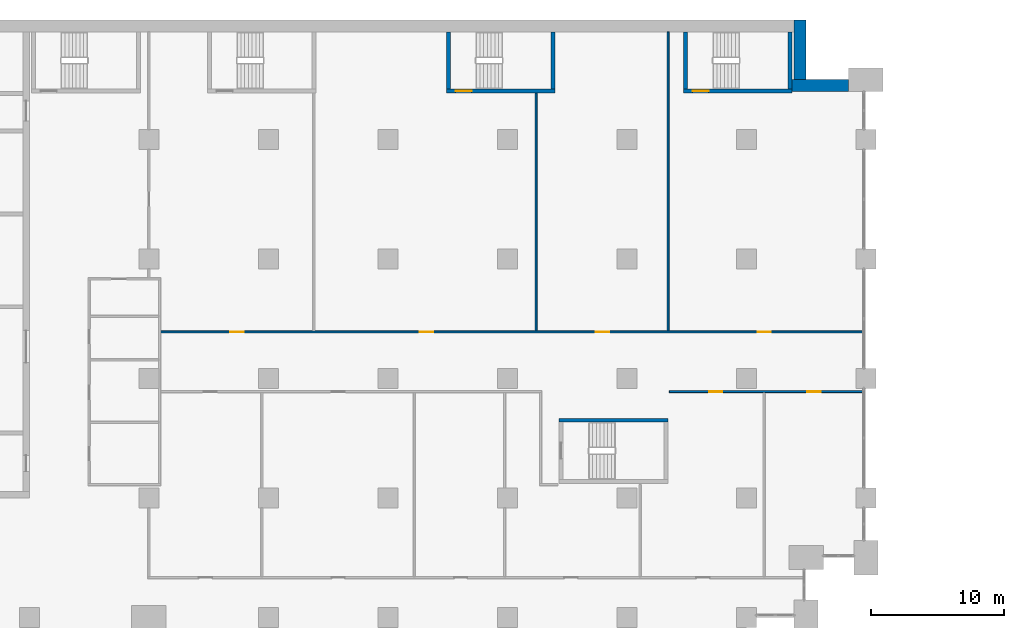
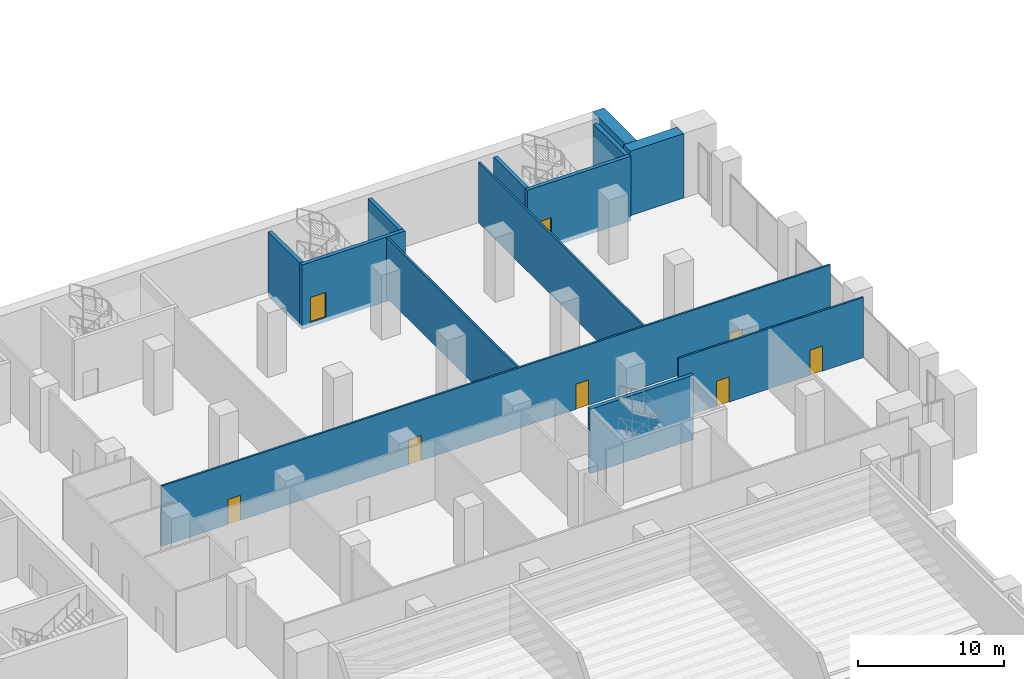
# One storey, part 21 of 44: 13 walls, 8 doors, 8 openings.
"""IFC4 building model written with IfcOpenShell, lengths in metres."""

from ifc_helpers import new_model, si_unit, direction, frame, frame_2d, origin, place, context, subcontext, project, spatial, rectangle, extrude, material, layer, layer_set, type_object, element, fill, save


model = new_model("IFC4")

# Units and contexts
model_context = context("Model", 3, precision=1e-05, world=origin(), true_north=direction((0.0, 1.0)))
body_context = subcontext(model_context, "Body", "Model", "MODEL_VIEW")
ifc_project = project(units=[si_unit("LENGTHUNIT", "METRE"), si_unit("AREAUNIT", "SQUARE_METRE"), si_unit("VOLUMEUNIT", "CUBIC_METRE"), si_unit("PLANEANGLEUNIT", "RADIAN"), si_unit("MASSUNIT", "GRAM", prefix="KILO")], contexts=[model_context])

# Site, building, storey
site_placement = place(None, origin())
site = spatial("IfcSite", under=ifc_project, at=site_placement, CompositionType="ELEMENT")
building_placement = place(site_placement, origin())
building = spatial("IfcBuilding", under=site, at=building_placement, Name="Hunhe Ridgeline Campus", CompositionType="ELEMENT")
storey_placement = place(building_placement, frame((0.0, 0.0, 6.0)))
storey = spatial("IfcBuildingStorey", under=building, at=storey_placement, Name="L01", CompositionType="ELEMENT", Elevation=6.0)

# Wall, openings, doors
ifc_material_1 = material(Name="Plastered blockwork", Category="masonry")
ifc_layer_1 = layer(ifc_material_1, 0.14990234375)
ifc_layer_set_1 = layer_set([ifc_layer_1], Name="Blockwork partition 150")
wall_type_1 = type_object("IfcWallType", Name="Blockwork partition 150", PredefinedType="PARTITIONING", material=ifc_layer_set_1)
wall_1_placement = place(storey_placement, frame((84.199951171875, 71.0, 0.0), z_axis=(0.0, 0.0, 1.0), x_axis=(1.0, 0.0, 0.0)))
wall_1 = element("IfcWall", 1, at=wall_1_placement, inside=storey, type_object=wall_type_1, Name="L01 partition", PredefinedType="PARTITIONING", context=body_context, shape_type="SweptSolid", body=[
    extrude(rectangle(XDim=14.6201171875, YDim=0.14990234375, at=frame_2d((7.31005859375, 0.0))), origin(), (0.0, 0.0, 1.0), 5.050048828125),
])
opening_1_placement = place(wall_1_placement, frame((3.0, 0.0, 0.0)))
opening_1 = element("IfcOpeningElement", 2, at=opening_1_placement, cuts=wall_1, Name="Opening PD234", PredefinedType="OPENING", context=body_context, shape_type="SweptSolid", body=[
    extrude(rectangle(XDim=1.0, YDim=2.10009765625, at=frame_2d((0.5, 1.050048828125))), frame((0.0, 0.074951171875, 0.0), z_axis=(0.0, -1.0, 0.0), x_axis=(1.0, 0.0, 0.0)), (0.0, 0.0, 1.0), 0.14990234375),
])
opening_2_placement = place(wall_1_placement, frame((10.39599609375, 0.0, 0.0)))
opening_2 = element("IfcOpeningElement", 3, at=opening_2_placement, cuts=wall_1, Name="Opening PD235", PredefinedType="OPENING", context=body_context, shape_type="SweptSolid", body=[
    extrude(rectangle(XDim=1.0, YDim=2.10009765625, at=frame_2d((0.5, 1.050048828125))), frame((0.0, 0.074951171875, 0.0), z_axis=(0.0, -1.0, 0.0), x_axis=(1.0, 0.0, 0.0)), (0.0, 0.0, 1.0), 0.14990234375),
])
ifc_material_2 = material(Name="Timber", Category="wood")
door_type_1 = type_object("IfcDoorType", Name="Podium timber door 1000x2100", OperationType="NOTDEFINED", PredefinedType="DOOR", material=ifc_material_2)
door_1_placement = place(opening_1_placement, origin())
door_1 = element("IfcDoor", 4, at=door_1_placement, inside=storey, type_object=door_type_1, Name="Seminar Room 1.13 door", OperationType="SINGLE_SWING_LEFT", OverallHeight=2.10009765625, OverallWidth=1.0, PredefinedType="DOOR", context=body_context, shape_type="SweptSolid", body=[
    extrude(rectangle(XDim=1.0, YDim=2.10009765625, at=frame_2d((0.5, 1.050048828125))), frame((0.0, 0.02490234375, 0.0), z_axis=(0.0, -1.0, 0.0), x_axis=(1.0, 0.0, 0.0)), (0.0, 0.0, 1.0), 0.050048828125),
])
fill(opening_1, door_1)
door_2_placement = place(opening_2_placement, origin())
door_2 = element("IfcDoor", 5, at=door_2_placement, inside=storey, type_object=door_type_1, Name="Teaching Resources Store door", OperationType="SINGLE_SWING_RIGHT", OverallHeight=2.10009765625, OverallWidth=1.0, PredefinedType="DOOR", context=body_context, shape_type="SweptSolid", body=[
    extrude(rectangle(XDim=1.0, YDim=2.10009765625, at=frame_2d((0.5, 1.050048828125))), frame((0.0, 0.02490234375, 0.0), z_axis=(0.0, -1.0, 0.0), x_axis=(1.0, 0.0, 0.0)), (0.0, 0.0, 1.0), 0.050048828125),
])
fill(opening_2, door_2)

wall_2_placement = place(storey_placement, frame((98.820068359375, 75.5, 0.0), z_axis=(0.0, 0.0, 1.0), x_axis=(-1.0, 0.0, 0.0)))
wall_2 = element("IfcWall", 6, at=wall_2_placement, inside=storey, type_object=wall_type_1, Name="L01 partition", PredefinedType="PARTITIONING", context=body_context, shape_type="SweptSolid", body=[
    extrude(rectangle(XDim=52.945068359375, YDim=0.14990234375, at=frame_2d((26.47265625, 0.0))), origin(), (0.0, 0.0, 1.0), 5.050048828125),
])
opening_3_placement = place(wall_2_placement, frame((46.695068359375, 0.0, 0.0)))
opening_3 = element("IfcOpeningElement", 7, at=opening_3_placement, cuts=wall_2, Name="Opening PD236", PredefinedType="OPENING", context=body_context, shape_type="SweptSolid", body=[
    extrude(rectangle(XDim=1.0, YDim=2.10009765625, at=frame_2d((0.5, 1.050048828125))), frame((0.0, 0.074951171875, 0.0), z_axis=(0.0, -1.0, 0.0), x_axis=(1.0, 0.0, 0.0)), (0.0, 0.0, 1.0), 0.14990234375),
])
opening_4_placement = place(wall_2_placement, frame((32.406005859375, 0.0, 0.0)))
opening_4 = element("IfcOpeningElement", 8, at=opening_4_placement, cuts=wall_2, Name="Opening PD238", PredefinedType="OPENING", context=body_context, shape_type="SweptSolid", body=[
    extrude(rectangle(XDim=1.0, YDim=2.10009765625, at=frame_2d((0.5, 1.050048828125))), frame((0.0, 0.074951171875, 0.0), z_axis=(0.0, -1.0, 0.0), x_axis=(1.0, 0.0, 0.0)), (0.0, 0.0, 1.0), 0.14990234375),
])
opening_5_placement = place(wall_2_placement, frame((19.14794921875, 0.0, 0.0)))
opening_5 = element("IfcOpeningElement", 9, at=opening_5_placement, cuts=wall_2, Name="Opening PD239", PredefinedType="OPENING", context=body_context, shape_type="SweptSolid", body=[
    extrude(rectangle(XDim=1.0, YDim=2.10009765625, at=frame_2d((0.5, 1.050048828125))), frame((0.0, 0.074951171875, 0.0), z_axis=(0.0, -1.0, 0.0), x_axis=(1.0, 0.0, 0.0)), (0.0, 0.0, 1.0), 0.14990234375),
])
opening_6_placement = place(wall_2_placement, frame((6.967041015625, 0.0, 0.0)))
opening_6 = element("IfcOpeningElement", 10, at=opening_6_placement, cuts=wall_2, Name="Opening PD240", PredefinedType="OPENING", context=body_context, shape_type="SweptSolid", body=[
    extrude(rectangle(XDim=1.0, YDim=2.10009765625, at=frame_2d((0.5, 1.050048828125))), frame((0.0, 0.074951171875, 0.0), z_axis=(0.0, -1.0, 0.0), x_axis=(1.0, 0.0, 0.0)), (0.0, 0.0, 1.0), 0.14990234375),
])
door_3_placement = place(opening_3_placement, origin())
door_3 = element("IfcDoor", 11, at=door_3_placement, inside=storey, type_object=door_type_1, Name="Department Office 1.14 door", OperationType="SINGLE_SWING_RIGHT", OverallHeight=2.10009765625, OverallWidth=1.0, PredefinedType="DOOR", context=body_context, shape_type="SweptSolid", body=[
    extrude(rectangle(XDim=1.0, YDim=2.10009765625, at=frame_2d((0.5, 1.050048828125))), frame((0.0, 0.02490234375, 0.0), z_axis=(0.0, -1.0, 0.0), x_axis=(1.0, 0.0, 0.0)), (0.0, 0.0, 1.0), 0.050048828125),
])
fill(opening_3, door_3)
door_4_placement = place(opening_4_placement, origin())
door_4 = element("IfcDoor", 12, at=door_4_placement, inside=storey, type_object=door_type_1, Name="Department Office 1.15 door", OperationType="SINGLE_SWING_RIGHT", OverallHeight=2.10009765625, OverallWidth=1.0, PredefinedType="DOOR", context=body_context, shape_type="SweptSolid", body=[
    extrude(rectangle(XDim=1.0, YDim=2.10009765625, at=frame_2d((0.5, 1.050048828125))), frame((0.0, 0.02490234375, 0.0), z_axis=(0.0, -1.0, 0.0), x_axis=(1.0, 0.0, 0.0)), (0.0, 0.0, 1.0), 0.050048828125),
])
fill(opening_4, door_4)
door_5_placement = place(opening_5_placement, origin())
door_5 = element("IfcDoor", 13, at=door_5_placement, inside=storey, type_object=door_type_1, Name="Meeting Room 1.16 door", OperationType="SINGLE_SWING_LEFT", OverallHeight=2.10009765625, OverallWidth=1.0, PredefinedType="DOOR", context=body_context, shape_type="SweptSolid", body=[
    extrude(rectangle(XDim=1.0, YDim=2.10009765625, at=frame_2d((0.5, 1.050048828125))), frame((0.0, 0.02490234375, 0.0), z_axis=(0.0, -1.0, 0.0), x_axis=(1.0, 0.0, 0.0)), (0.0, 0.0, 1.0), 0.050048828125),
])
fill(opening_5, door_5)
door_6_placement = place(opening_6_placement, origin())
door_6 = element("IfcDoor", 14, at=door_6_placement, inside=storey, type_object=door_type_1, Name="Meeting Room 1.17 door", OperationType="SINGLE_SWING_LEFT", OverallHeight=2.10009765625, OverallWidth=1.0, PredefinedType="DOOR", context=body_context, shape_type="SweptSolid", body=[
    extrude(rectangle(XDim=1.0, YDim=2.10009765625, at=frame_2d((0.5, 1.050048828125))), frame((0.0, 0.02490234375, 0.0), z_axis=(0.0, -1.0, 0.0), x_axis=(1.0, 0.0, 0.0)), (0.0, 0.0, 1.0), 0.050048828125),
])
fill(opening_6, door_6)

# Walls
wall_3_placement = place(storey_placement, frame((74.172119140625, 75.574951171875, 0.0), z_axis=(0.0, 0.0, 1.0), x_axis=(0.0, 1.0, 0.0)))
element("IfcWall", 15, at=wall_3_placement, inside=storey, type_object=wall_type_1, Name="L01 partition", PredefinedType="PARTITIONING", context=body_context, shape_type="SweptSolid", body=[
    extrude(rectangle(XDim=17.925048828125, YDim=0.14990234375, at=frame_2d((8.96240234375, 0.0))), origin(), (0.0, 0.0, 1.0), 5.050048828125),
])
wall_4_placement = place(storey_placement, frame((84.10302734375, 75.574951171875, 0.0), z_axis=(0.0, 0.0, 1.0), x_axis=(0.0, 1.0, 0.0)))
element("IfcWall", 16, at=wall_4_placement, inside=storey, type_object=wall_type_1, Name="L01 partition", PredefinedType="PARTITIONING", context=body_context, shape_type="SweptSolid", body=[
    extrude(rectangle(XDim=22.525146484375, YDim=0.14990234375, at=frame_2d((11.2626953125, 0.0))), origin(), (0.0, 0.0, 1.0), 5.050048828125),
])
ifc_material_3 = material(Name="Concrete C80", Category="concrete")
ifc_layer_2 = layer(ifc_material_3, 0.89990234375)
ifc_layer_set_2 = layer_set([ifc_layer_2], Name="Spine wall 900 Concrete C80")
wall_type_2 = type_object("IfcWallType", Name="Spine wall 900 Concrete C80", PredefinedType="SHEAR", material=ifc_layer_set_2)
wall_5_placement = place(storey_placement, frame((97.699951171875, 94.050048828125, 0.0), z_axis=(0.0, 0.0, 1.0), x_axis=(-1.0, 0.0, 0.0)))
element("IfcWall", 17, at=wall_5_placement, inside=storey, type_object=wall_type_2, Name="Spine wall SW1-2 L01", PredefinedType="SHEAR", context=body_context, shape_type="SweptSolid", body=[
    extrude(rectangle(XDim=4.25048828125, YDim=0.89990234375, at=frame_2d((2.125244140625, 0.0))), origin(), (0.0, 0.0, 1.0), 5.39990234375),
])
wall_6_placement = place(storey_placement, frame((94.050048828125, 93.60009765625, 0.0), z_axis=(0.0, 0.0, 1.0), x_axis=(0.0, 1.0, 0.0)))
element("IfcWall", 18, at=wall_6_placement, inside=storey, type_object=wall_type_2, Name="Spine wall SW1-3 L01", PredefinedType="SHEAR", context=body_context, shape_type="SweptSolid", body=[
    extrude(rectangle(XDim=5.39990234375, YDim=0.89990234375, at=frame_2d((2.699951171875, 0.0))), origin(), (0.0, 0.0, 1.0), 5.39990234375),
])
ifc_layer_3 = layer(ifc_material_3, 0.300048828125)
ifc_layer_set_3 = layer_set([ifc_layer_3], Name="Stair wall 300 reinforced concrete C80")
wall_type_3 = type_object("IfcWallType", Name="Stair wall 300 reinforced concrete C80", PredefinedType="SOLIDWALL", material=ifc_layer_set_3)
wall_7_placement = place(storey_placement, frame((75.89990234375, 68.85009765625, -0.35009765625), z_axis=(0.0, 0.0, 1.0), x_axis=(1.0, 0.0, 0.0)))
element("IfcWall", 19, at=wall_7_placement, inside=storey, type_object=wall_type_3, Name="L01 core wall 11", PredefinedType="SOLIDWALL", context=body_context, shape_type="SweptSolid", body=[
    extrude(rectangle(XDim=8.2001953125, YDim=0.300048828125, at=frame_2d((4.10009765625, 0.0))), origin(), (0.0, 0.0, 1.0), 5.400146484375),
])

# Wall, opening, door
wall_8_placement = place(storey_placement, frame((67.39990234375, 93.64990234375, -0.35009765625), z_axis=(0.0, 0.0, 1.0), x_axis=(1.0, 0.0, 0.0)))
wall_8 = element("IfcWall", 20, at=wall_8_placement, inside=storey, type_object=wall_type_3, Name="L01 core wall 34", PredefinedType="SOLIDWALL", context=body_context, shape_type="SweptSolid", body=[
    extrude(rectangle(XDim=8.2001953125, YDim=0.300048828125, at=frame_2d((4.10009765625, 0.0))), origin(), (0.0, 0.0, 1.0), 5.400146484375),
])
opening_7_placement = place(wall_8_placement, frame((0.699951171875, 0.0, 0.35009765625)))
opening_7 = element("IfcOpeningElement", 21, at=opening_7_placement, cuts=wall_8, Name="Opening CD19", PredefinedType="OPENING", context=body_context, shape_type="SweptSolid", body=[
    extrude(rectangle(XDim=1.199951171875, YDim=2.10009765625, at=frame_2d((0.60009765625, 1.050048828125))), frame((0.0, 0.14990234375, 0.0), z_axis=(0.0, -1.0, 0.0), x_axis=(1.0, 0.0, 0.0)), (0.0, 0.0, 1.0), 0.300048828125),
])
ifc_material_4 = material(Name="Hollow metal fire door leaf")
door_type_2 = type_object("IfcDoorType", Name="Stair door 1200x2100 FD60", OperationType="SINGLE_SWING_LEFT", PredefinedType="DOOR", material=ifc_material_4)
door_7_placement = place(opening_7_placement, frame((1.199951171875, 0.0, 0.0), z_axis=(0.0, 0.0, 1.0), x_axis=(-1.0, 0.0, 0.0)))
door_7 = element("IfcDoor", 22, at=door_7_placement, inside=storey, type_object=door_type_2, Name="L01 door E3", OperationType="SINGLE_SWING_RIGHT", OverallHeight=2.10009765625, OverallWidth=1.199951171875, PredefinedType="DOOR", context=body_context, shape_type="SweptSolid", body=[
    extrude(rectangle(XDim=1.199951171875, YDim=2.10009765625, at=frame_2d((0.60009765625, 1.050048828125))), frame((0.0, 0.02490234375, 0.0), z_axis=(0.0, -1.0, 0.0), x_axis=(1.0, 0.0, 0.0)), (0.0, 0.0, 1.0), 0.050048828125),
])
fill(opening_7, door_7)

wall_9_placement = place(storey_placement, frame((85.25, 93.64990234375, -0.35009765625), z_axis=(0.0, 0.0, 1.0), x_axis=(1.0, 0.0, 0.0)))
wall_9 = element("IfcWall", 23, at=wall_9_placement, inside=storey, type_object=wall_type_3, Name="L01 core wall 35", PredefinedType="SOLIDWALL", context=body_context, shape_type="SweptSolid", body=[
    extrude(rectangle(XDim=8.199951171875, YDim=0.300048828125, at=frame_2d((4.10009765625, 0.0))), origin(), (0.0, 0.0, 1.0), 5.400146484375),
])
opening_8_placement = place(wall_9_placement, frame((0.699951171875, 0.0, 0.35009765625)))
opening_8 = element("IfcOpeningElement", 24, at=opening_8_placement, cuts=wall_9, Name="Opening CD20", PredefinedType="OPENING", context=body_context, shape_type="SweptSolid", body=[
    extrude(rectangle(XDim=1.199951171875, YDim=2.10009765625, at=frame_2d((0.60009765625, 1.050048828125))), frame((0.0, 0.14990234375, 0.0), z_axis=(0.0, -1.0, 0.0), x_axis=(1.0, 0.0, 0.0)), (0.0, 0.0, 1.0), 0.300048828125),
])
door_8_placement = place(opening_8_placement, frame((1.199951171875, 0.0, 0.0), z_axis=(0.0, 0.0, 1.0), x_axis=(-1.0, 0.0, 0.0)))
door_8 = element("IfcDoor", 25, at=door_8_placement, inside=storey, type_object=door_type_2, Name="L01 door E4", OperationType="SINGLE_SWING_LEFT", OverallHeight=2.10009765625, OverallWidth=1.199951171875, PredefinedType="DOOR", context=body_context, shape_type="SweptSolid", body=[
    extrude(rectangle(XDim=1.199951171875, YDim=2.10009765625, at=frame_2d((0.60009765625, 1.050048828125))), frame((0.0, 0.02490234375, 0.0), z_axis=(0.0, -1.0, 0.0), x_axis=(1.0, 0.0, 0.0)), (0.0, 0.0, 1.0), 0.050048828125),
])
fill(opening_8, door_8)

# Walls
for number, where, z_axis, x_axis, name in (
    (26, (67.550048828125, 93.800048828125, -0.35009765625), (0.0, 0.0, 1.0), (0.0, 1.0, 0.0), "L01 core wall 69"),
    (27, (75.449951171875, 93.800048828125, -0.35009765625), (0.0, 0.0, 1.0), (0.0, 1.0, 0.0), "L01 core wall 70"),
    (28, (85.39990234375, 93.800048828125, -0.35009765625), (0.0, 0.0, 1.0), (0.0, 1.0, 0.0), "L01 core wall 73"),
    (29, (93.300048828125, 93.800048828125, -0.35009765625), (0.0, 0.0, 1.0), (0.0, 1.0, 0.0), "L01 core wall 74"),
):
    element("IfcWall", number, at=place(storey_placement, frame(where, z_axis=z_axis, x_axis=x_axis)), inside=storey, type_object=wall_type_3, Name=name, PredefinedType="SOLIDWALL", context=body_context, shape_type="SweptSolid", body=[
        extrude(rectangle(XDim=4.300048828125, YDim=0.300048828125, at=frame_2d((2.14990234375, 0.0))), origin(), (0.0, 0.0, 1.0), 5.400146484375),
    ])

save(model, "model.ifc")
